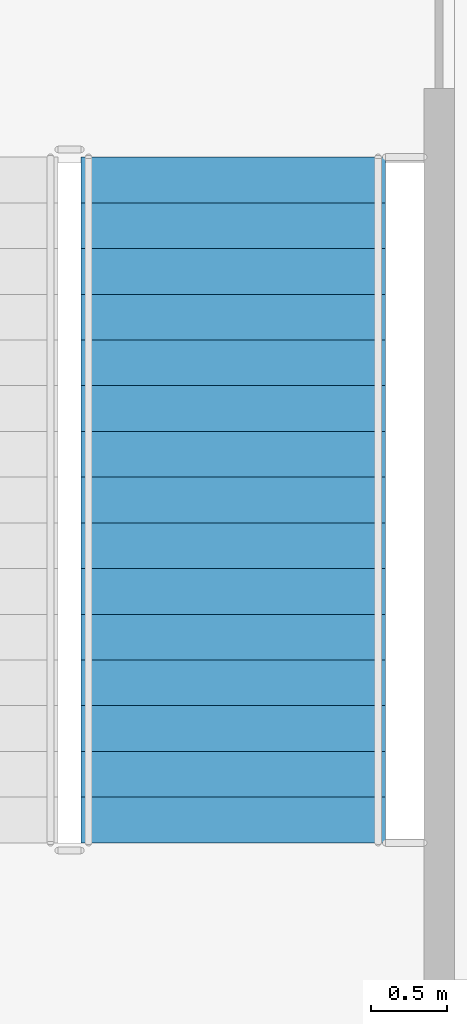
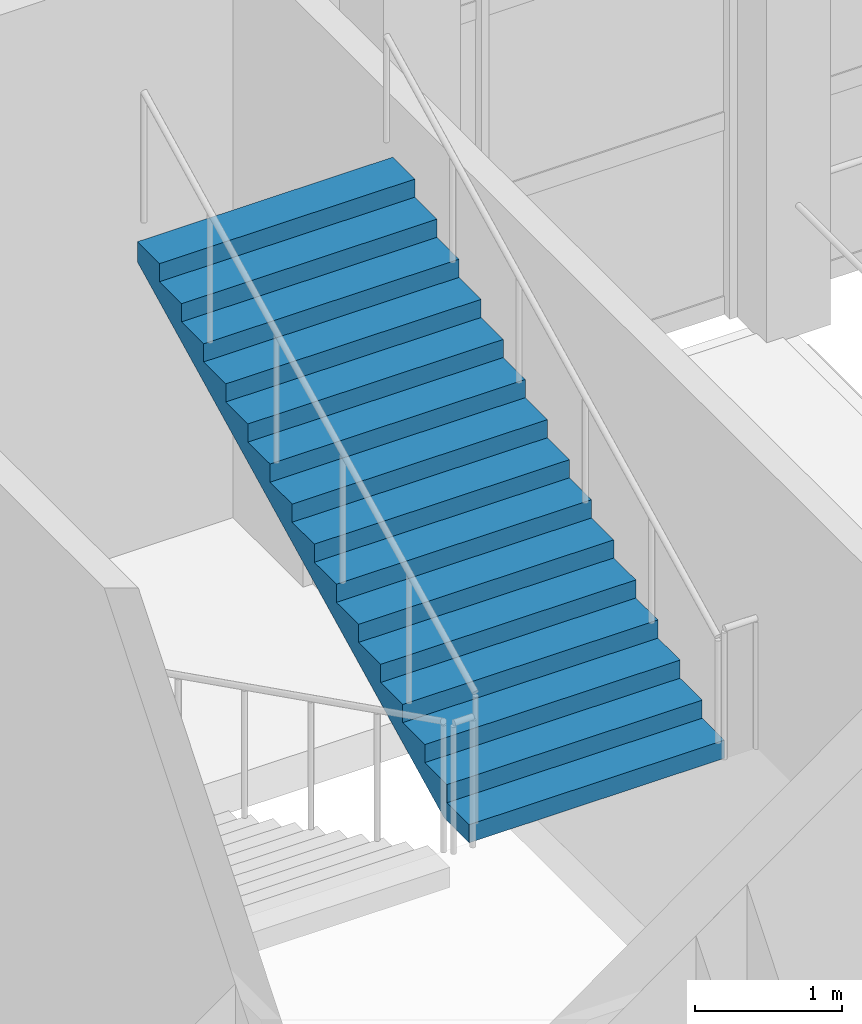
# One storey, part 83 of 100: 1 stair flight, 1 element without a shape of its own.
"""IFC4 building model written with IfcOpenShell, lengths in metres."""

from ifc_helpers import new_model, si_unit, direction, frame, origin, place, context, subcontext, project, spatial, faceted_brep, material, type_object, element, aggregate, save


model = new_model("IFC4")

# Units and contexts
model_context = context("Model", 3, precision=1e-05, world=origin(), true_north=direction((0.0, 1.0)))
body_context = subcontext(model_context, "Body", "Model", "MODEL_VIEW")
ifc_project = project(units=[si_unit("LENGTHUNIT", "METRE"), si_unit("AREAUNIT", "SQUARE_METRE"), si_unit("VOLUMEUNIT", "CUBIC_METRE"), si_unit("PLANEANGLEUNIT", "RADIAN"), si_unit("MASSUNIT", "GRAM", prefix="KILO")], contexts=[model_context])

# Site, building, storey
site_placement = place(None, origin())
site = spatial("IfcSite", under=ifc_project, at=site_placement, CompositionType="ELEMENT")
building_placement = place(site_placement, origin())
building = spatial("IfcBuilding", under=site, at=building_placement, Name="Kiln Court Media Centre", CompositionType="ELEMENT")
storey_placement = place(building_placement, frame((0.0, 0.0, 15.0)))
storey = spatial("IfcBuildingStorey", under=building, at=storey_placement, Name="L03", CompositionType="ELEMENT", Elevation=15.0)

# Stair, stair flight
ifc_material_1 = material(Name="Concrete C40/50", Category="concrete")
stair_type = type_object("IfcStairType", Name="Concrete C40/50 dog-leg stair 2000 wide, 150 riser", PredefinedType="HALF_TURN_STAIR", material=ifc_material_1)
stair_placement = place(storey_placement, origin())
stair = element("IfcStair", 1, at=stair_placement, inside=storey, type_object=stair_type, Name="ST-08 L03", PredefinedType="HALF_TURN_STAIR")
ifc_material_2 = material(Name="Concrete C40/50", Category="concrete")
stair_flight_type = type_object("IfcStairFlightType", Name="Concrete C40/50 stair flight 2000 wide, 150 riser, 300 going", PredefinedType="STRAIGHT", material=ifc_material_2)
stair_flight_placement = place(storey_placement, frame((32.14990234375, 59.89990234375, 2.39990234375), z_axis=(0.0, 0.0, 1.0), x_axis=(0.0, 1.0, 0.0)))
stair_flight = element("IfcStairFlight", 2, at=stair_flight_placement, type_object=stair_flight_type, Name="L03-ST-5006 flight 5013", NumberOfRisers=16, NumberOfTreads=15, PredefinedType="STRAIGHT", RiserHeight=0.15, TreadLength=0.3, context=body_context, shape_type="Brep", body=[
    faceted_brep([(0.335205078125, -1.0, 0.0), (4.5, -1.0, 2.08251953125), (4.5, -1.0, 2.25), (4.199951171875, -1.0, 2.25), (4.199951171875, -1.0, 2.10009765625), (3.89990234375, -1.0, 2.10009765625), (3.89990234375, -1.0, 1.949951171875), (3.60009765625, -1.0, 1.949951171875), (3.60009765625, -1.0, 1.800048828125), (3.300048828125, -1.0, 1.800048828125), (3.300048828125, -1.0, 1.64990234375), (3.0, -1.0, 1.64990234375), (3.0, -1.0, 1.5), (2.699951171875, -1.0, 1.5), (2.699951171875, -1.0, 1.35009765625), (2.39990234375, -1.0, 1.35009765625), (2.39990234375, -1.0, 1.199951171875), (2.10009765625, -1.0, 1.199951171875), (2.10009765625, -1.0, 1.050048828125), (1.800048828125, -1.0, 1.050048828125), (1.800048828125, -1.0, 0.89990234375), (1.5, -1.0, 0.89990234375), (1.5, -1.0, 0.75), (1.199951171875, -1.0, 0.75), (1.199951171875, -1.0, 0.60009765625), (0.89990234375, -1.0, 0.60009765625), (0.89990234375, -1.0, 0.449951171875), (0.60009765625, -1.0, 0.449951171875), (0.60009765625, -1.0, 0.300048828125), (0.300048828125, -1.0, 0.300048828125), (0.300048828125, -1.0, 0.14990234375), (0.0, -1.0, 0.14990234375), (0.0, -1.0, 0.0), (0.0, 1.0, 0.0), (0.0, 1.0, 0.14990234375), (0.300048828125, 1.0, 0.14990234375), (0.300048828125, 1.0, 0.300048828125), (0.60009765625, 1.0, 0.300048828125), (0.60009765625, 1.0, 0.449951171875), (0.89990234375, 1.0, 0.449951171875), (0.89990234375, 1.0, 0.60009765625), (1.199951171875, 1.0, 0.60009765625), (1.199951171875, 1.0, 0.75), (1.5, 1.0, 0.75), (1.5, 1.0, 0.89990234375), (1.800048828125, 1.0, 0.89990234375), (1.800048828125, 1.0, 1.050048828125), (2.10009765625, 1.0, 1.050048828125), (2.10009765625, 1.0, 1.199951171875), (2.39990234375, 1.0, 1.199951171875), (2.39990234375, 1.0, 1.35009765625), (2.699951171875, 1.0, 1.35009765625), (2.699951171875, 1.0, 1.5), (3.0, 1.0, 1.5), (3.0, 1.0, 1.64990234375), (3.300048828125, 1.0, 1.64990234375), (3.300048828125, 1.0, 1.800048828125), (3.60009765625, 1.0, 1.800048828125), (3.60009765625, 1.0, 1.949951171875), (3.89990234375, 1.0, 1.949951171875), (3.89990234375, 1.0, 2.10009765625), (4.199951171875, 1.0, 2.10009765625), (4.199951171875, 1.0, 2.25), (4.5, 1.0, 2.25), (4.5, 1.0, 2.08251953125), (0.335205078125, 1.0, 0.0), (4.5, 0.10009765625, 2.08251953125), (0.335205078125, 0.10009765625, 0.0), (4.5, 0.080078125, 2.08251953125), (0.335205078125, 0.080078125, 0.0), (4.5, 0.06005859375, 2.08251953125), (0.335205078125, 0.06005859375, 0.0), (4.5, 0.0400390625, 2.08251953125), (0.335205078125, 0.0400390625, 0.0), (4.5, 0.02001953125, 2.08251953125), (0.335205078125, 0.02001953125, 0.0), (4.5, 0.0, 2.08251953125), (0.335205078125, 0.0, 0.0), (4.5, -0.02001953125, 2.08251953125), (0.335205078125, -0.02001953125, 0.0), (4.5, -0.0400390625, 2.08251953125), (0.335205078125, -0.0400390625, 0.0), (4.5, -0.06005859375, 2.08251953125), (0.335205078125, -0.06005859375, 0.0), (4.5, -0.080078125, 2.08251953125), (0.335205078125, -0.080078125, 0.0), (4.5, -0.10009765625, 2.08251953125), (0.335205078125, -0.10009765625, 0.0), (4.5, 0.10009765625, 2.25), (4.5, 0.080078125, 2.25), (4.5, 0.06005859375, 2.25), (4.5, 0.0400390625, 2.25), (4.5, 0.02001953125, 2.25), (4.5, 0.0, 2.25), (4.5, -0.02001953125, 2.25), (4.5, -0.0400390625, 2.25), (4.5, -0.06005859375, 2.25), (4.5, -0.080078125, 2.25), (4.5, -0.10009765625, 2.25), (4.199951171875, 0.10009765625, 2.25), (4.199951171875, 0.080078125, 2.25), (4.199951171875, 0.06005859375, 2.25), (4.199951171875, 0.0400390625, 2.25), (4.199951171875, 0.02001953125, 2.25), (4.199951171875, 0.0, 2.25), (4.199951171875, -0.02001953125, 2.25), (4.199951171875, -0.0400390625, 2.25), (4.199951171875, -0.06005859375, 2.25), (4.199951171875, -0.080078125, 2.25), (4.199951171875, -0.10009765625, 2.25), (4.199951171875, 0.10009765625, 2.10009765625), (4.199951171875, 0.080078125, 2.10009765625), (4.199951171875, 0.06005859375, 2.10009765625), (4.199951171875, 0.0400390625, 2.10009765625), (4.199951171875, 0.02001953125, 2.10009765625), (4.199951171875, 0.0, 2.10009765625), (4.199951171875, -0.02001953125, 2.10009765625), (4.199951171875, -0.0400390625, 2.10009765625), (4.199951171875, -0.06005859375, 2.10009765625), (4.199951171875, -0.080078125, 2.10009765625), (4.199951171875, -0.10009765625, 2.10009765625), (3.89990234375, 0.10009765625, 2.10009765625), (3.89990234375, 0.080078125, 2.10009765625), (3.89990234375, 0.06005859375, 2.10009765625), (3.89990234375, 0.0400390625, 2.10009765625), (3.89990234375, 0.02001953125, 2.10009765625), (3.89990234375, 0.0, 2.10009765625), (3.89990234375, -0.02001953125, 2.10009765625), (3.89990234375, -0.0400390625, 2.10009765625), (3.89990234375, -0.06005859375, 2.10009765625), (3.89990234375, -0.080078125, 2.10009765625), (3.89990234375, -0.10009765625, 2.10009765625), (3.89990234375, 0.10009765625, 1.949951171875), (3.89990234375, 0.080078125, 1.949951171875), (3.89990234375, 0.06005859375, 1.949951171875), (3.89990234375, 0.0400390625, 1.949951171875), (3.89990234375, 0.02001953125, 1.949951171875), (3.89990234375, 0.0, 1.949951171875), (3.89990234375, -0.02001953125, 1.949951171875), (3.89990234375, -0.0400390625, 1.949951171875), (3.89990234375, -0.06005859375, 1.949951171875), (3.89990234375, -0.080078125, 1.949951171875), (3.89990234375, -0.10009765625, 1.949951171875), (3.60009765625, 0.10009765625, 1.949951171875), (3.60009765625, 0.080078125, 1.949951171875), (3.60009765625, 0.06005859375, 1.949951171875), (3.60009765625, 0.0400390625, 1.949951171875), (3.60009765625, 0.02001953125, 1.949951171875), (3.60009765625, 0.0, 1.949951171875), (3.60009765625, -0.02001953125, 1.949951171875), (3.60009765625, -0.0400390625, 1.949951171875), (3.60009765625, -0.06005859375, 1.949951171875), (3.60009765625, -0.080078125, 1.949951171875), (3.60009765625, -0.10009765625, 1.949951171875), (3.60009765625, 0.10009765625, 1.800048828125), (3.60009765625, 0.080078125, 1.800048828125), (3.60009765625, 0.06005859375, 1.800048828125), (3.60009765625, 0.0400390625, 1.800048828125), (3.60009765625, 0.02001953125, 1.800048828125), (3.60009765625, 0.0, 1.800048828125), (3.60009765625, -0.02001953125, 1.800048828125), (3.60009765625, -0.0400390625, 1.800048828125), (3.60009765625, -0.06005859375, 1.800048828125), (3.60009765625, -0.080078125, 1.800048828125), (3.60009765625, -0.10009765625, 1.800048828125), (3.300048828125, 0.10009765625, 1.800048828125), (3.300048828125, 0.080078125, 1.800048828125), (3.300048828125, 0.06005859375, 1.800048828125), (3.300048828125, 0.0400390625, 1.800048828125), (3.300048828125, 0.02001953125, 1.800048828125), (3.300048828125, 0.0, 1.800048828125), (3.300048828125, -0.02001953125, 1.800048828125), (3.300048828125, -0.0400390625, 1.800048828125), (3.300048828125, -0.06005859375, 1.800048828125), (3.300048828125, -0.080078125, 1.800048828125), (3.300048828125, -0.10009765625, 1.800048828125), (3.300048828125, 0.10009765625, 1.64990234375), (3.300048828125, 0.080078125, 1.64990234375), (3.300048828125, 0.06005859375, 1.64990234375), (3.300048828125, 0.0400390625, 1.64990234375), (3.300048828125, 0.02001953125, 1.64990234375), (3.300048828125, 0.0, 1.64990234375), (3.300048828125, -0.02001953125, 1.64990234375), (3.300048828125, -0.0400390625, 1.64990234375), (3.300048828125, -0.06005859375, 1.64990234375), (3.300048828125, -0.080078125, 1.64990234375), (3.300048828125, -0.10009765625, 1.64990234375), (3.0, 0.10009765625, 1.64990234375), (3.0, 0.080078125, 1.64990234375), (3.0, 0.06005859375, 1.64990234375), (3.0, 0.0400390625, 1.64990234375), (3.0, 0.02001953125, 1.64990234375), (3.0, 0.0, 1.64990234375), (3.0, -0.02001953125, 1.64990234375), (3.0, -0.0400390625, 1.64990234375), (3.0, -0.06005859375, 1.64990234375), (3.0, -0.080078125, 1.64990234375), (3.0, -0.10009765625, 1.64990234375), (3.0, 0.10009765625, 1.5), (3.0, 0.080078125, 1.5), (3.0, 0.06005859375, 1.5), (3.0, 0.0400390625, 1.5), (3.0, 0.02001953125, 1.5), (3.0, 0.0, 1.5), (3.0, -0.02001953125, 1.5), (3.0, -0.0400390625, 1.5), (3.0, -0.06005859375, 1.5), (3.0, -0.080078125, 1.5), (3.0, -0.10009765625, 1.5), (2.699951171875, 0.10009765625, 1.5), (2.699951171875, 0.080078125, 1.5), (2.699951171875, 0.06005859375, 1.5), (2.699951171875, 0.0400390625, 1.5), (2.699951171875, 0.02001953125, 1.5), (2.699951171875, 0.0, 1.5), (2.699951171875, -0.02001953125, 1.5), (2.699951171875, -0.0400390625, 1.5), (2.699951171875, -0.06005859375, 1.5), (2.699951171875, -0.080078125, 1.5), (2.699951171875, -0.10009765625, 1.5), (2.699951171875, 0.10009765625, 1.35009765625), (2.699951171875, 0.080078125, 1.35009765625), (2.699951171875, 0.06005859375, 1.35009765625), (2.699951171875, 0.0400390625, 1.35009765625), (2.699951171875, 0.02001953125, 1.35009765625), (2.699951171875, 0.0, 1.35009765625), (2.699951171875, -0.02001953125, 1.35009765625), (2.699951171875, -0.0400390625, 1.35009765625), (2.699951171875, -0.06005859375, 1.35009765625), (2.699951171875, -0.080078125, 1.35009765625), (2.699951171875, -0.10009765625, 1.35009765625), (2.39990234375, 0.10009765625, 1.35009765625), (2.39990234375, 0.080078125, 1.35009765625), (2.39990234375, 0.06005859375, 1.35009765625), (2.39990234375, 0.0400390625, 1.35009765625), (2.39990234375, 0.02001953125, 1.35009765625), (2.39990234375, 0.0, 1.35009765625), (2.39990234375, -0.02001953125, 1.35009765625), (2.39990234375, -0.0400390625, 1.35009765625), (2.39990234375, -0.06005859375, 1.35009765625), (2.39990234375, -0.080078125, 1.35009765625), (2.39990234375, -0.10009765625, 1.35009765625), (2.39990234375, 0.10009765625, 1.199951171875), (2.39990234375, 0.080078125, 1.199951171875), (2.39990234375, 0.06005859375, 1.199951171875), (2.39990234375, 0.0400390625, 1.199951171875), (2.39990234375, 0.02001953125, 1.199951171875), (2.39990234375, 0.0, 1.199951171875), (2.39990234375, -0.02001953125, 1.199951171875), (2.39990234375, -0.0400390625, 1.199951171875), (2.39990234375, -0.06005859375, 1.199951171875), (2.39990234375, -0.080078125, 1.199951171875), (2.39990234375, -0.10009765625, 1.199951171875), (2.10009765625, 0.10009765625, 1.199951171875), (2.10009765625, 0.080078125, 1.199951171875), (2.10009765625, 0.06005859375, 1.199951171875), (2.10009765625, 0.0400390625, 1.199951171875), (2.10009765625, 0.02001953125, 1.199951171875), (2.10009765625, 0.0, 1.199951171875), (2.10009765625, -0.02001953125, 1.199951171875), (2.10009765625, -0.0400390625, 1.199951171875), (2.10009765625, -0.06005859375, 1.199951171875), (2.10009765625, -0.080078125, 1.199951171875), (2.10009765625, -0.10009765625, 1.199951171875), (2.10009765625, 0.10009765625, 1.050048828125), (2.10009765625, 0.080078125, 1.050048828125), (2.10009765625, 0.06005859375, 1.050048828125), (2.10009765625, 0.0400390625, 1.050048828125), (2.10009765625, 0.02001953125, 1.050048828125), (2.10009765625, 0.0, 1.050048828125), (2.10009765625, -0.02001953125, 1.050048828125), (2.10009765625, -0.0400390625, 1.050048828125), (2.10009765625, -0.06005859375, 1.050048828125), (2.10009765625, -0.080078125, 1.050048828125), (2.10009765625, -0.10009765625, 1.050048828125), (1.800048828125, 0.10009765625, 1.050048828125), (1.800048828125, 0.080078125, 1.050048828125), (1.800048828125, 0.06005859375, 1.050048828125), (1.800048828125, 0.0400390625, 1.050048828125), (1.800048828125, 0.02001953125, 1.050048828125), (1.800048828125, 0.0, 1.050048828125), (1.800048828125, -0.02001953125, 1.050048828125), (1.800048828125, -0.0400390625, 1.050048828125), (1.800048828125, -0.06005859375, 1.050048828125), (1.800048828125, -0.080078125, 1.050048828125), (1.800048828125, -0.10009765625, 1.050048828125), (1.800048828125, 0.10009765625, 0.89990234375), (1.800048828125, 0.080078125, 0.89990234375), (1.800048828125, 0.06005859375, 0.89990234375), (1.800048828125, 0.0400390625, 0.89990234375), (1.800048828125, 0.02001953125, 0.89990234375), (1.800048828125, 0.0, 0.89990234375), (1.800048828125, -0.02001953125, 0.89990234375), (1.800048828125, -0.0400390625, 0.89990234375), (1.800048828125, -0.06005859375, 0.89990234375), (1.800048828125, -0.080078125, 0.89990234375), (1.800048828125, -0.10009765625, 0.89990234375), (1.5, 0.10009765625, 0.89990234375), (1.5, 0.080078125, 0.89990234375), (1.5, 0.06005859375, 0.89990234375), (1.5, 0.0400390625, 0.89990234375), (1.5, 0.02001953125, 0.89990234375), (1.5, 0.0, 0.89990234375), (1.5, -0.02001953125, 0.89990234375), (1.5, -0.0400390625, 0.89990234375), (1.5, -0.06005859375, 0.89990234375), (1.5, -0.080078125, 0.89990234375), (1.5, -0.10009765625, 0.89990234375), (1.5, 0.10009765625, 0.75), (1.5, 0.080078125, 0.75), (1.5, 0.06005859375, 0.75), (1.5, 0.0400390625, 0.75), (1.5, 0.02001953125, 0.75), (1.5, 0.0, 0.75), (1.5, -0.02001953125, 0.75), (1.5, -0.0400390625, 0.75), (1.5, -0.06005859375, 0.75), (1.5, -0.080078125, 0.75), (1.5, -0.10009765625, 0.75), (1.199951171875, 0.10009765625, 0.75), (1.199951171875, 0.080078125, 0.75), (1.199951171875, 0.06005859375, 0.75), (1.199951171875, 0.0400390625, 0.75), (1.199951171875, 0.02001953125, 0.75), (1.199951171875, 0.0, 0.75), (1.199951171875, -0.02001953125, 0.75), (1.199951171875, -0.0400390625, 0.75), (1.199951171875, -0.06005859375, 0.75), (1.199951171875, -0.080078125, 0.75), (1.199951171875, -0.10009765625, 0.75), (1.199951171875, 0.10009765625, 0.60009765625), (1.199951171875, 0.080078125, 0.60009765625), (1.199951171875, 0.06005859375, 0.60009765625), (1.199951171875, 0.0400390625, 0.60009765625), (1.199951171875, 0.02001953125, 0.60009765625), (1.199951171875, 0.0, 0.60009765625), (1.199951171875, -0.02001953125, 0.60009765625), (1.199951171875, -0.0400390625, 0.60009765625), (1.199951171875, -0.06005859375, 0.60009765625), (1.199951171875, -0.080078125, 0.60009765625), (1.199951171875, -0.10009765625, 0.60009765625), (0.89990234375, 0.10009765625, 0.60009765625), (0.89990234375, 0.080078125, 0.60009765625), (0.89990234375, 0.06005859375, 0.60009765625), (0.89990234375, 0.0400390625, 0.60009765625), (0.89990234375, 0.02001953125, 0.60009765625), (0.89990234375, 0.0, 0.60009765625), (0.89990234375, -0.02001953125, 0.60009765625), (0.89990234375, -0.0400390625, 0.60009765625), (0.89990234375, -0.06005859375, 0.60009765625), (0.89990234375, -0.080078125, 0.60009765625), (0.89990234375, -0.10009765625, 0.60009765625), (0.89990234375, 0.10009765625, 0.449951171875), (0.89990234375, 0.080078125, 0.449951171875), (0.89990234375, 0.06005859375, 0.449951171875), (0.89990234375, 0.0400390625, 0.449951171875), (0.89990234375, 0.02001953125, 0.449951171875), (0.89990234375, 0.0, 0.449951171875), (0.89990234375, -0.02001953125, 0.449951171875), (0.89990234375, -0.0400390625, 0.449951171875), (0.89990234375, -0.06005859375, 0.449951171875), (0.89990234375, -0.080078125, 0.449951171875), (0.89990234375, -0.10009765625, 0.449951171875), (0.60009765625, 0.10009765625, 0.449951171875), (0.60009765625, 0.080078125, 0.449951171875), (0.60009765625, 0.06005859375, 0.449951171875), (0.60009765625, 0.0400390625, 0.449951171875), (0.60009765625, 0.02001953125, 0.449951171875), (0.60009765625, 0.0, 0.449951171875), (0.60009765625, -0.02001953125, 0.449951171875), (0.60009765625, -0.0400390625, 0.449951171875), (0.60009765625, -0.06005859375, 0.449951171875), (0.60009765625, -0.080078125, 0.449951171875), (0.60009765625, -0.10009765625, 0.449951171875), (0.60009765625, 0.10009765625, 0.300048828125), (0.60009765625, 0.080078125, 0.300048828125), (0.60009765625, 0.06005859375, 0.300048828125), (0.60009765625, 0.0400390625, 0.300048828125), (0.60009765625, 0.02001953125, 0.300048828125), (0.60009765625, 0.0, 0.300048828125), (0.60009765625, -0.02001953125, 0.300048828125), (0.60009765625, -0.0400390625, 0.300048828125), (0.60009765625, -0.06005859375, 0.300048828125), (0.60009765625, -0.080078125, 0.300048828125), (0.60009765625, -0.10009765625, 0.300048828125), (0.300048828125, 0.10009765625, 0.300048828125), (0.300048828125, 0.080078125, 0.300048828125), (0.300048828125, 0.06005859375, 0.300048828125), (0.300048828125, 0.0400390625, 0.300048828125), (0.300048828125, 0.02001953125, 0.300048828125), (0.300048828125, 0.0, 0.300048828125), (0.300048828125, -0.02001953125, 0.300048828125), (0.300048828125, -0.0400390625, 0.300048828125), (0.300048828125, -0.06005859375, 0.300048828125), (0.300048828125, -0.080078125, 0.300048828125), (0.300048828125, -0.10009765625, 0.300048828125), (0.300048828125, 0.10009765625, 0.14990234375), (0.300048828125, 0.080078125, 0.14990234375), (0.300048828125, 0.06005859375, 0.14990234375), (0.300048828125, 0.0400390625, 0.14990234375), (0.300048828125, 0.02001953125, 0.14990234375), (0.300048828125, 0.0, 0.14990234375), (0.300048828125, -0.02001953125, 0.14990234375), (0.300048828125, -0.0400390625, 0.14990234375), (0.300048828125, -0.06005859375, 0.14990234375), (0.300048828125, -0.080078125, 0.14990234375), (0.300048828125, -0.10009765625, 0.14990234375), (0.0, 0.10009765625, 0.14990234375), (0.0, 0.080078125, 0.14990234375), (0.0, 0.06005859375, 0.14990234375), (0.0, 0.0400390625, 0.14990234375), (0.0, 0.02001953125, 0.14990234375), (0.0, 0.0, 0.14990234375), (0.0, -0.02001953125, 0.14990234375), (0.0, -0.0400390625, 0.14990234375), (0.0, -0.06005859375, 0.14990234375), (0.0, -0.080078125, 0.14990234375), (0.0, -0.10009765625, 0.14990234375), (0.0, 0.10009765625, 0.0), (0.0, 0.080078125, 0.0), (0.0, 0.06005859375, 0.0), (0.0, 0.0400390625, 0.0), (0.0, 0.02001953125, 0.0), (0.0, 0.0, 0.0), (0.0, -0.02001953125, 0.0), (0.0, -0.0400390625, 0.0), (0.0, -0.06005859375, 0.0), (0.0, -0.080078125, 0.0), (0.0, -0.10009765625, 0.0)], [[[0, 1, 2, 3, 4, 5, 6, 7, 8, 9, 10, 11, 12, 13, 14, 15, 16, 17, 18, 19, 20, 21, 22, 23, 24, 25, 26, 27, 28, 29, 30, 31, 32]], [[33, 34, 35, 36, 37, 38, 39, 40, 41, 42, 43, 44, 45, 46, 47, 48, 49, 50, 51, 52, 53, 54, 55, 56, 57, 58, 59, 60, 61, 62, 63, 64, 65]], [[65, 64, 66, 67]], [[67, 66, 68, 69]], [[69, 68, 70, 71]], [[71, 70, 72, 73]], [[73, 72, 74, 75]], [[75, 74, 76, 77]], [[77, 76, 78, 79]], [[79, 78, 80, 81]], [[81, 80, 82, 83]], [[83, 82, 84, 85]], [[85, 84, 86, 87]], [[87, 86, 1, 0]], [[64, 63, 88, 66]], [[66, 88, 89, 68]], [[68, 89, 90, 70]], [[70, 90, 91, 72]], [[72, 91, 92, 74]], [[74, 92, 93, 76]], [[76, 93, 94, 78]], [[78, 94, 95, 80]], [[80, 95, 96, 82]], [[82, 96, 97, 84]], [[84, 97, 98, 86]], [[86, 98, 2, 1]], [[63, 62, 99, 88]], [[88, 99, 100, 89]], [[89, 100, 101, 90]], [[90, 101, 102, 91]], [[91, 102, 103, 92]], [[92, 103, 104, 93]], [[93, 104, 105, 94]], [[94, 105, 106, 95]], [[95, 106, 107, 96]], [[96, 107, 108, 97]], [[97, 108, 109, 98]], [[98, 109, 3, 2]], [[62, 61, 110, 99]], [[99, 110, 111, 100]], [[100, 111, 112, 101]], [[101, 112, 113, 102]], [[102, 113, 114, 103]], [[103, 114, 115, 104]], [[104, 115, 116, 105]], [[105, 116, 117, 106]], [[106, 117, 118, 107]], [[107, 118, 119, 108]], [[108, 119, 120, 109]], [[109, 120, 4, 3]], [[61, 60, 121, 110]], [[110, 121, 122, 111]], [[111, 122, 123, 112]], [[112, 123, 124, 113]], [[113, 124, 125, 114]], [[114, 125, 126, 115]], [[115, 126, 127, 116]], [[116, 127, 128, 117]], [[117, 128, 129, 118]], [[118, 129, 130, 119]], [[119, 130, 131, 120]], [[120, 131, 5, 4]], [[60, 59, 132, 121]], [[121, 132, 133, 122]], [[122, 133, 134, 123]], [[123, 134, 135, 124]], [[124, 135, 136, 125]], [[125, 136, 137, 126]], [[126, 137, 138, 127]], [[127, 138, 139, 128]], [[128, 139, 140, 129]], [[129, 140, 141, 130]], [[130, 141, 142, 131]], [[131, 142, 6, 5]], [[59, 58, 143, 132]], [[132, 143, 144, 133]], [[133, 144, 145, 134]], [[134, 145, 146, 135]], [[135, 146, 147, 136]], [[136, 147, 148, 137]], [[137, 148, 149, 138]], [[138, 149, 150, 139]], [[139, 150, 151, 140]], [[140, 151, 152, 141]], [[141, 152, 153, 142]], [[142, 153, 7, 6]], [[58, 57, 154, 143]], [[143, 154, 155, 144]], [[144, 155, 156, 145]], [[145, 156, 157, 146]], [[146, 157, 158, 147]], [[147, 158, 159, 148]], [[148, 159, 160, 149]], [[149, 160, 161, 150]], [[150, 161, 162, 151]], [[151, 162, 163, 152]], [[152, 163, 164, 153]], [[153, 164, 8, 7]], [[57, 56, 165, 154]], [[154, 165, 166, 155]], [[155, 166, 167, 156]], [[156, 167, 168, 157]], [[157, 168, 169, 158]], [[158, 169, 170, 159]], [[159, 170, 171, 160]], [[160, 171, 172, 161]], [[161, 172, 173, 162]], [[162, 173, 174, 163]], [[163, 174, 175, 164]], [[164, 175, 9, 8]], [[56, 55, 176, 165]], [[165, 176, 177, 166]], [[166, 177, 178, 167]], [[167, 178, 179, 168]], [[168, 179, 180, 169]], [[169, 180, 181, 170]], [[170, 181, 182, 171]], [[171, 182, 183, 172]], [[172, 183, 184, 173]], [[173, 184, 185, 174]], [[174, 185, 186, 175]], [[175, 186, 10, 9]], [[55, 54, 187, 176]], [[176, 187, 188, 177]], [[177, 188, 189, 178]], [[178, 189, 190, 179]], [[179, 190, 191, 180]], [[180, 191, 192, 181]], [[181, 192, 193, 182]], [[182, 193, 194, 183]], [[183, 194, 195, 184]], [[184, 195, 196, 185]], [[185, 196, 197, 186]], [[186, 197, 11, 10]], [[54, 53, 198, 187]], [[187, 198, 199, 188]], [[188, 199, 200, 189]], [[189, 200, 201, 190]], [[190, 201, 202, 191]], [[191, 202, 203, 192]], [[192, 203, 204, 193]], [[193, 204, 205, 194]], [[194, 205, 206, 195]], [[195, 206, 207, 196]], [[196, 207, 208, 197]], [[197, 208, 12, 11]], [[53, 52, 209, 198]], [[198, 209, 210, 199]], [[199, 210, 211, 200]], [[200, 211, 212, 201]], [[201, 212, 213, 202]], [[202, 213, 214, 203]], [[203, 214, 215, 204]], [[204, 215, 216, 205]], [[205, 216, 217, 206]], [[206, 217, 218, 207]], [[207, 218, 219, 208]], [[208, 219, 13, 12]], [[52, 51, 220, 209]], [[209, 220, 221, 210]], [[210, 221, 222, 211]], [[211, 222, 223, 212]], [[212, 223, 224, 213]], [[213, 224, 225, 214]], [[214, 225, 226, 215]], [[215, 226, 227, 216]], [[216, 227, 228, 217]], [[217, 228, 229, 218]], [[218, 229, 230, 219]], [[219, 230, 14, 13]], [[51, 50, 231, 220]], [[220, 231, 232, 221]], [[221, 232, 233, 222]], [[222, 233, 234, 223]], [[223, 234, 235, 224]], [[224, 235, 236, 225]], [[225, 236, 237, 226]], [[226, 237, 238, 227]], [[227, 238, 239, 228]], [[228, 239, 240, 229]], [[229, 240, 241, 230]], [[230, 241, 15, 14]], [[50, 49, 242, 231]], [[231, 242, 243, 232]], [[232, 243, 244, 233]], [[233, 244, 245, 234]], [[234, 245, 246, 235]], [[235, 246, 247, 236]], [[236, 247, 248, 237]], [[237, 248, 249, 238]], [[238, 249, 250, 239]], [[239, 250, 251, 240]], [[240, 251, 252, 241]], [[241, 252, 16, 15]], [[49, 48, 253, 242]], [[242, 253, 254, 243]], [[243, 254, 255, 244]], [[244, 255, 256, 245]], [[245, 256, 257, 246]], [[246, 257, 258, 247]], [[247, 258, 259, 248]], [[248, 259, 260, 249]], [[249, 260, 261, 250]], [[250, 261, 262, 251]], [[251, 262, 263, 252]], [[252, 263, 17, 16]], [[48, 47, 264, 253]], [[253, 264, 265, 254]], [[254, 265, 266, 255]], [[255, 266, 267, 256]], [[256, 267, 268, 257]], [[257, 268, 269, 258]], [[258, 269, 270, 259]], [[259, 270, 271, 260]], [[260, 271, 272, 261]], [[261, 272, 273, 262]], [[262, 273, 274, 263]], [[263, 274, 18, 17]], [[47, 46, 275, 264]], [[264, 275, 276, 265]], [[265, 276, 277, 266]], [[266, 277, 278, 267]], [[267, 278, 279, 268]], [[268, 279, 280, 269]], [[269, 280, 281, 270]], [[270, 281, 282, 271]], [[271, 282, 283, 272]], [[272, 283, 284, 273]], [[273, 284, 285, 274]], [[274, 285, 19, 18]], [[46, 45, 286, 275]], [[275, 286, 287, 276]], [[276, 287, 288, 277]], [[277, 288, 289, 278]], [[278, 289, 290, 279]], [[279, 290, 291, 280]], [[280, 291, 292, 281]], [[281, 292, 293, 282]], [[282, 293, 294, 283]], [[283, 294, 295, 284]], [[284, 295, 296, 285]], [[285, 296, 20, 19]], [[45, 44, 297, 286]], [[286, 297, 298, 287]], [[287, 298, 299, 288]], [[288, 299, 300, 289]], [[289, 300, 301, 290]], [[290, 301, 302, 291]], [[291, 302, 303, 292]], [[292, 303, 304, 293]], [[293, 304, 305, 294]], [[294, 305, 306, 295]], [[295, 306, 307, 296]], [[296, 307, 21, 20]], [[44, 43, 308, 297]], [[297, 308, 309, 298]], [[298, 309, 310, 299]], [[299, 310, 311, 300]], [[300, 311, 312, 301]], [[301, 312, 313, 302]], [[302, 313, 314, 303]], [[303, 314, 315, 304]], [[304, 315, 316, 305]], [[305, 316, 317, 306]], [[306, 317, 318, 307]], [[307, 318, 22, 21]], [[43, 42, 319, 308]], [[308, 319, 320, 309]], [[309, 320, 321, 310]], [[310, 321, 322, 311]], [[311, 322, 323, 312]], [[312, 323, 324, 313]], [[313, 324, 325, 314]], [[314, 325, 326, 315]], [[315, 326, 327, 316]], [[316, 327, 328, 317]], [[317, 328, 329, 318]], [[318, 329, 23, 22]], [[42, 41, 330, 319]], [[319, 330, 331, 320]], [[320, 331, 332, 321]], [[321, 332, 333, 322]], [[322, 333, 334, 323]], [[323, 334, 335, 324]], [[324, 335, 336, 325]], [[325, 336, 337, 326]], [[326, 337, 338, 327]], [[327, 338, 339, 328]], [[328, 339, 340, 329]], [[329, 340, 24, 23]], [[41, 40, 341, 330]], [[330, 341, 342, 331]], [[331, 342, 343, 332]], [[332, 343, 344, 333]], [[333, 344, 345, 334]], [[334, 345, 346, 335]], [[335, 346, 347, 336]], [[336, 347, 348, 337]], [[337, 348, 349, 338]], [[338, 349, 350, 339]], [[339, 350, 351, 340]], [[340, 351, 25, 24]], [[40, 39, 352, 341]], [[341, 352, 353, 342]], [[342, 353, 354, 343]], [[343, 354, 355, 344]], [[344, 355, 356, 345]], [[345, 356, 357, 346]], [[346, 357, 358, 347]], [[347, 358, 359, 348]], [[348, 359, 360, 349]], [[349, 360, 361, 350]], [[350, 361, 362, 351]], [[351, 362, 26, 25]], [[39, 38, 363, 352]], [[352, 363, 364, 353]], [[353, 364, 365, 354]], [[354, 365, 366, 355]], [[355, 366, 367, 356]], [[356, 367, 368, 357]], [[357, 368, 369, 358]], [[358, 369, 370, 359]], [[359, 370, 371, 360]], [[360, 371, 372, 361]], [[361, 372, 373, 362]], [[362, 373, 27, 26]], [[38, 37, 374, 363]], [[363, 374, 375, 364]], [[364, 375, 376, 365]], [[365, 376, 377, 366]], [[366, 377, 378, 367]], [[367, 378, 379, 368]], [[368, 379, 380, 369]], [[369, 380, 381, 370]], [[370, 381, 382, 371]], [[371, 382, 383, 372]], [[372, 383, 384, 373]], [[373, 384, 28, 27]], [[37, 36, 385, 374]], [[374, 385, 386, 375]], [[375, 386, 387, 376]], [[376, 387, 388, 377]], [[377, 388, 389, 378]], [[378, 389, 390, 379]], [[379, 390, 391, 380]], [[380, 391, 392, 381]], [[381, 392, 393, 382]], [[382, 393, 394, 383]], [[383, 394, 395, 384]], [[384, 395, 29, 28]], [[36, 35, 396, 385]], [[385, 396, 397, 386]], [[386, 397, 398, 387]], [[387, 398, 399, 388]], [[388, 399, 400, 389]], [[389, 400, 401, 390]], [[390, 401, 402, 391]], [[391, 402, 403, 392]], [[392, 403, 404, 393]], [[393, 404, 405, 394]], [[394, 405, 406, 395]], [[395, 406, 30, 29]], [[35, 34, 407, 396]], [[396, 407, 408, 397]], [[397, 408, 409, 398]], [[398, 409, 410, 399]], [[399, 410, 411, 400]], [[400, 411, 412, 401]], [[401, 412, 413, 402]], [[402, 413, 414, 403]], [[403, 414, 415, 404]], [[404, 415, 416, 405]], [[405, 416, 417, 406]], [[406, 417, 31, 30]], [[34, 33, 418, 407]], [[407, 418, 419, 408]], [[408, 419, 420, 409]], [[409, 420, 421, 410]], [[410, 421, 422, 411]], [[411, 422, 423, 412]], [[412, 423, 424, 413]], [[413, 424, 425, 414]], [[414, 425, 426, 415]], [[415, 426, 427, 416]], [[416, 427, 428, 417]], [[417, 428, 32, 31]], [[33, 65, 67, 418]], [[418, 67, 69, 419]], [[419, 69, 71, 420]], [[420, 71, 73, 421]], [[421, 73, 75, 422]], [[422, 75, 77, 423]], [[423, 77, 79, 424]], [[424, 79, 81, 425]], [[425, 81, 83, 426]], [[426, 83, 85, 427]], [[427, 85, 87, 428]], [[428, 87, 0, 32]]]),
])
aggregate(stair, [stair_flight])

save(model, "model.ifc")
